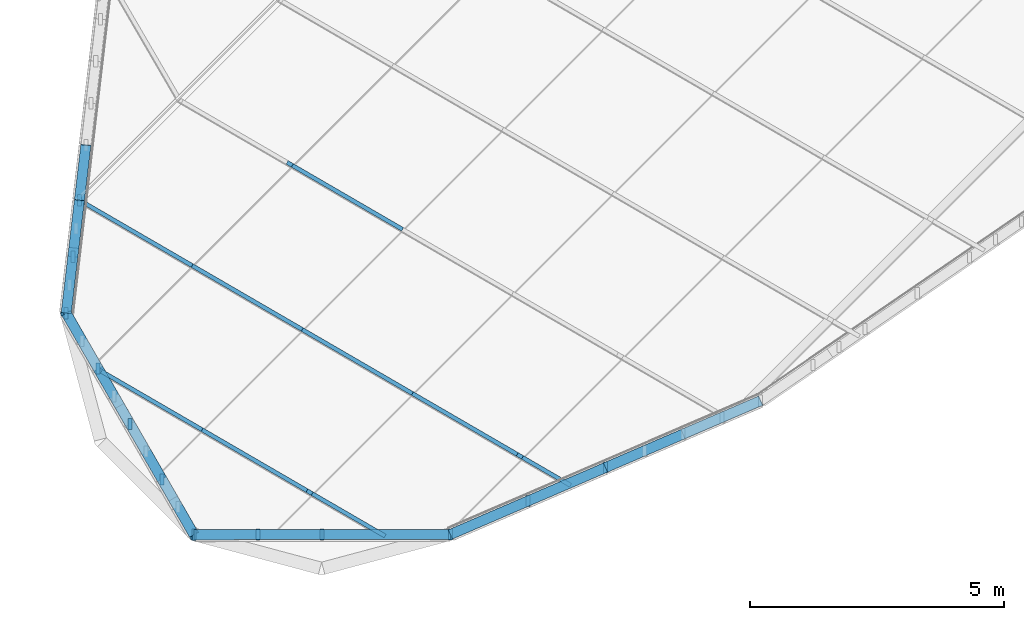
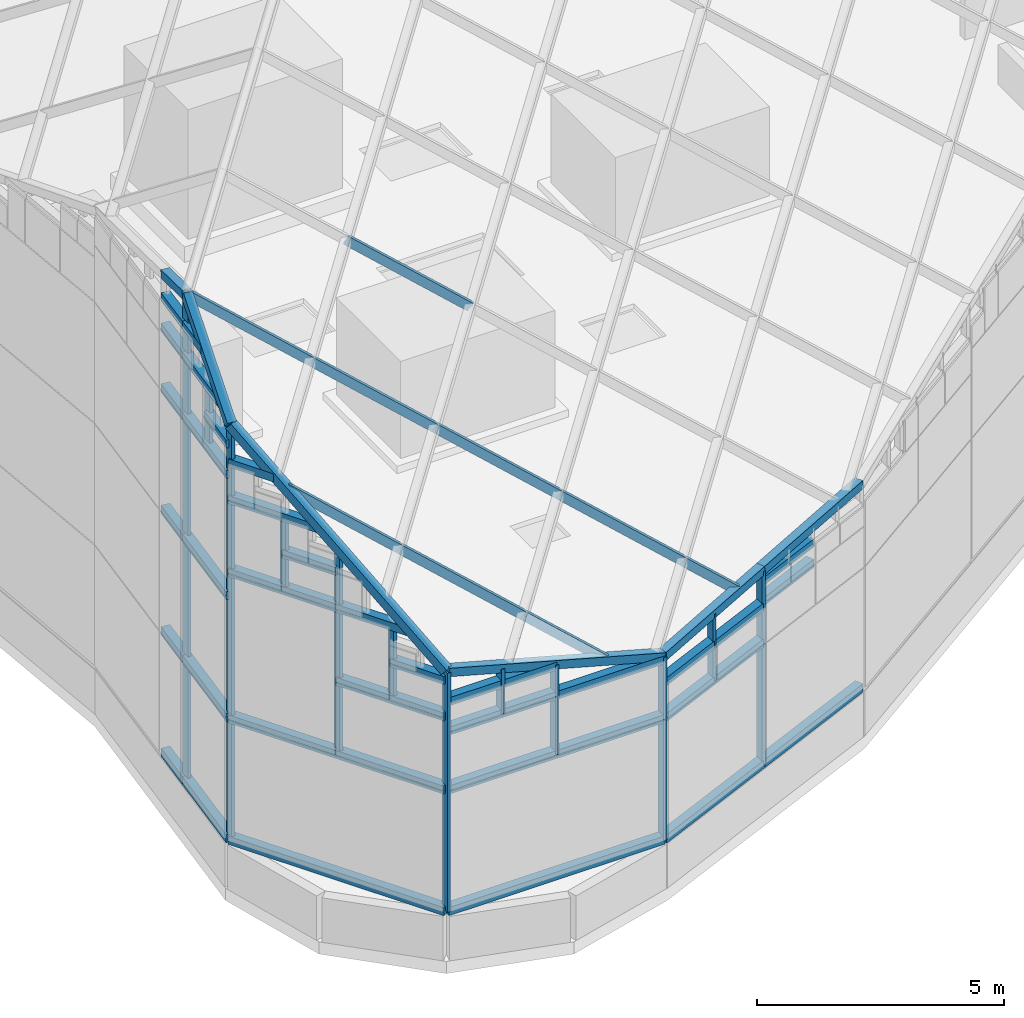
# One storey, part 1 of 29: 63 members, 1 element without a shape of its own.
"""IFC4 building model written with IfcOpenShell, lengths in metres."""

from ifc_helpers import new_model, si_unit, direction, frame, origin, origin_2d, place, context, subcontext, project, spatial, rectangle, extrude, material, material_profile, profile_set, type_object, element, aggregate, save


model = new_model("IFC4")

# Units and contexts
model_context = context("Model", 3, precision=1e-05, world=origin(), true_north=direction((0.0, 1.0)))
body_context = subcontext(model_context, "Body", "Model", "MODEL_VIEW")
ifc_project = project(units=[si_unit("LENGTHUNIT", "METRE"), si_unit("AREAUNIT", "SQUARE_METRE"), si_unit("VOLUMEUNIT", "CUBIC_METRE"), si_unit("PLANEANGLEUNIT", "RADIAN"), si_unit("MASSUNIT", "GRAM", prefix="KILO")], contexts=[model_context])

# Site, building, storey
site_placement = place(None, origin())
site = spatial("IfcSite", under=ifc_project, at=site_placement, CompositionType="ELEMENT")
building_placement = place(site_placement, origin())
building = spatial("IfcBuilding", under=site, at=building_placement, Name="Tanit Gate Tower", CompositionType="ELEMENT")
storey_placement = place(building_placement, frame((0.0, 0.0, 445.300048828125)))
storey = spatial("IfcBuildingStorey", under=building, at=storey_placement, Name="ROOF", CompositionType="ELEMENT", Elevation=445.300048828125)

# Curtain wall, members
ifc_material_1 = material(Name="Aluminium bronze anodised and glass", Category="aluminium")
curtain_wall_type = type_object("IfcCurtainWallType", Name="Curtain wall crown roof", PredefinedType="NOTDEFINED", material=ifc_material_1)
curtain_wall_placement = place(storey_placement, origin())
curtain_wall = element("IfcCurtainWall", 1, at=curtain_wall_placement, inside=storey, type_object=curtain_wall_type, Name="Crown lantern", PredefinedType="NOTDEFINED")
ifc_material_2 = material(Name="Aluminium bronze anodised", Category="aluminium")
ifc_material_profile_1 = material_profile(ifc_material_2, rectangle(XDim=0.080078125, YDim=0.219970703125, at=origin_2d()), Name="80x220 bronze rafter")
ifc_profile_set_1 = profile_set([ifc_material_profile_1], Name="Aluminium bronze anodised")
member_type_1 = type_object("IfcMemberType", Name="Mullion 80x220 crown roof", PredefinedType="MULLION", material=ifc_profile_set_1)
member_1_placement = place(storey_placement, frame((-14.351318359375, -14.351318359375, 1.199951171875), z_axis=(0.0, 0.0, 1.0), x_axis=(1.0, 0.0, 0.0)))
member_1 = element("IfcMember", 2, at=member_1_placement, type_object=member_type_1, Name="Lantern mullion 20", PredefinedType="MULLION", context=body_context, shape_type="SweptSolid", body=[
    extrude(rectangle(XDim=0.080078125, YDim=0.219970703125, at=origin_2d()), origin(), (0.0, 0.0, 1.0), 12.0),
])
member_2_placement = place(storey_placement, frame((-14.612060546875, -16.5791015625, 1.199951171875), z_axis=(0.0, 0.0, 1.0), x_axis=(1.0, 0.0, 0.0)))
member_2 = element("IfcMember", 3, at=member_2_placement, type_object=member_type_1, Name="Lantern mullion 21", PredefinedType="MULLION", context=body_context, shape_type="SweptSolid", body=[
    extrude(rectangle(XDim=0.080078125, YDim=0.219970703125, at=origin_2d()), origin(), (0.0, 0.0, 1.0), 10.22412109375),
])
member_3_placement = place(storey_placement, frame((-12.093505859375, -20.9462890625, 1.199951171875), z_axis=(0.0, 0.0, 1.0), x_axis=(1.0, 0.0, 0.0)))
member_3 = element("IfcMember", 4, at=member_3_placement, type_object=member_type_1, Name="Lantern mullion 22", PredefinedType="MULLION", context=body_context, shape_type="SweptSolid", body=[
    extrude(rectangle(XDim=0.080078125, YDim=0.219970703125, at=origin_2d()), origin(), (0.0, 0.0, 1.0), 5.907958984375),
])
member_4_placement = place(storey_placement, frame((-7.0380859375, -20.9404296875, 1.199951171875), z_axis=(0.0, 0.0, 1.0), x_axis=(1.0, 0.0, 0.0)))
member_4 = element("IfcMember", 5, at=member_4_placement, type_object=member_type_1, Name="Lantern mullion 23", PredefinedType="MULLION", context=body_context, shape_type="SweptSolid", body=[
    extrude(rectangle(XDim=0.080078125, YDim=0.219970703125, at=origin_2d()), origin(), (0.0, 0.0, 1.0), 4.520263671875),
])
member_5_placement = place(storey_placement, frame((-3.980224609375, -19.6220703125, 1.199951171875), z_axis=(0.0, 0.0, 1.0), x_axis=(1.0, 0.0, 0.0)))
member_5 = element("IfcMember", 6, at=member_5_placement, type_object=member_type_1, Name="Lantern mullion 24", PredefinedType="MULLION", context=body_context, shape_type="SweptSolid", body=[
    extrude(rectangle(XDim=0.080078125, YDim=0.219970703125, at=origin_2d()), origin(), (0.0, 0.0, 1.0), 4.77099609375),
])
member_6_placement = place(storey_placement, frame((-14.481689453125, -15.465087890625, 10.199951171875), z_axis=(0.0, 0.0, 1.0), x_axis=(1.0, 0.0, 0.0)))
member_6 = element("IfcMember", 7, at=member_6_placement, type_object=member_type_1, Name="Lantern clerestory bar 20.4.2", PredefinedType="MULLION", context=body_context, shape_type="SweptSolid", body=[
    extrude(rectangle(XDim=0.080078125, YDim=0.219970703125, at=origin_2d()), origin(), (0.0, 0.0, 1.0), 1.5),
])
member_7_placement = place(storey_placement, frame((-13.352783203125, -18.7626953125, 4.199951171875), z_axis=(0.0, 0.0, 1.0), x_axis=(1.0, 0.0, 0.0)))
member_7 = element("IfcMember", 8, at=member_7_placement, type_object=member_type_1, Name="Lantern clerestory bar 21.2.2", PredefinedType="MULLION", context=body_context, shape_type="SweptSolid", body=[
    extrude(rectangle(XDim=0.080078125, YDim=0.219970703125, at=origin_2d()), origin(), (0.0, 0.0, 1.0), 3.612060546875),
])
member_8_placement = place(storey_placement, frame((-12.72314453125, -19.8544921875, 6.005859375), z_axis=(0.0, 0.0, 1.0), x_axis=(1.0, 0.0, 0.0)))
member_8 = element("IfcMember", 9, at=member_8_placement, type_object=member_type_1, Name="Lantern clerestory bar 21.2.4", PredefinedType="MULLION", context=body_context, shape_type="SweptSolid", body=[
    extrude(rectangle(XDim=0.080078125, YDim=0.219970703125, at=origin_2d()), origin(), (0.0, 0.0, 1.0), 1.80615234375),
])
member_9_placement = place(storey_placement, frame((-13.352783203125, -18.7626953125, 7.81201171875), z_axis=(0.0, 0.0, 1.0), x_axis=(1.0, 0.0, 0.0)))
member_9 = element("IfcMember", 10, at=member_9_placement, type_object=member_type_1, Name="Lantern clerestory bar 21.2.8", PredefinedType="MULLION", context=body_context, shape_type="SweptSolid", body=[
    extrude(rectangle(XDim=0.080078125, YDim=0.219970703125, at=origin_2d()), origin(), (0.0, 0.0, 1.0), 1.4541015625),
])
member_10_placement = place(storey_placement, frame((-13.982421875, -17.6708984375, 7.81201171875), z_axis=(0.0, 0.0, 1.0), x_axis=(1.0, 0.0, 0.0)))
member_10 = element("IfcMember", 11, at=member_10_placement, type_object=member_type_1, Name="Lantern clerestory bar 21.2.10", PredefinedType="MULLION", context=body_context, shape_type="SweptSolid", body=[
    extrude(rectangle(XDim=0.080078125, YDim=0.219970703125, at=origin_2d()), origin(), (0.0, 0.0, 1.0), 1.805908203125),
])
member_11_placement = place(storey_placement, frame((-9.565673828125, -20.943359375, 4.199951171875), z_axis=(0.0, 0.0, 1.0), x_axis=(1.0, 0.0, 0.0)))
member_11 = element("IfcMember", 12, at=member_11_placement, type_object=member_type_1, Name="Lantern clerestory bar 22.2.1", PredefinedType="MULLION", context=body_context, shape_type="SweptSolid", body=[
    extrude(rectangle(XDim=0.080078125, YDim=0.219970703125, at=origin_2d()), origin(), (0.0, 0.0, 1.0), 2.214111328125),
])
member_12_placement = place(storey_placement, frame((-10.82958984375, -20.94482421875, 5.654052734375), z_axis=(0.0, 0.0, 1.0), x_axis=(1.0, 0.0, 0.0)))
member_12 = element("IfcMember", 13, at=member_12_placement, type_object=member_type_1, Name="Lantern clerestory bar 22.2.3", PredefinedType="MULLION", context=body_context, shape_type="SweptSolid", body=[
    extrude(rectangle(XDim=0.080078125, YDim=0.219970703125, at=origin_2d()), origin(), (0.0, 0.0, 1.0), 1.10693359375),
])
member_13_placement = place(storey_placement, frame((-5.509033203125, -20.28125, 4.199951171875), z_axis=(0.0, 0.0, 1.0), x_axis=(1.0, 0.0, 0.0)))
member_13 = element("IfcMember", 14, at=member_13_placement, type_object=member_type_1, Name="Lantern clerestory bar 23.2.1", PredefinedType="MULLION", context=body_context, shape_type="SweptSolid", body=[
    extrude(rectangle(XDim=0.080078125, YDim=0.219970703125, at=origin_2d()), origin(), (0.0, 0.0, 1.0), 1.6455078125),
])
member_14_placement = place(storey_placement, frame((-13.968017578125, -17.69580078125, 10.3203125), z_axis=(0.723507187101, -0.420152677548, -0.547730844268), x_axis=(0.502181756709, 0.864762096318, 0.0)))
member_14 = element("IfcMember", 15, at=member_14_placement, type_object=member_type_1, Name="Lantern rafter W2", PredefinedType="MULLION", context=body_context, shape_type="SweptSolid", body=[
    extrude(rectangle(XDim=0.080078125, YDim=0.219970703125, at=origin_2d()), origin(), (0.0, 0.0, 1.0), 2.740234375),
])
member_15_placement = place(storey_placement, frame((-11.9853515625, -18.84716796875, 8.8193359375), z_axis=(0.723494582662, -0.420098879156, -0.547788755444), x_axis=(0.502140210865, 0.864786221347, 0.0)))
member_15 = element("IfcMember", 16, at=member_15_placement, type_object=member_type_1, Name="Lantern rafter W2", PredefinedType="MULLION", context=body_context, shape_type="SweptSolid", body=[
    extrude(rectangle(XDim=0.080078125, YDim=0.219970703125, at=origin_2d()), origin(), (0.0, 0.0, 1.0), 3.0),
])
member_16_placement = place(storey_placement, frame((-9.81494140625, -20.107421875, 7.176025390625), z_axis=(0.723461857925, -0.420114276315, -0.547820166628), x_axis=(0.502170960587, 0.864768365716, 0.0)))
member_16 = element("IfcMember", 17, at=member_16_placement, type_object=member_type_1, Name="Lantern rafter W2", PredefinedType="MULLION", context=body_context, shape_type="SweptSolid", body=[
    extrude(rectangle(XDim=0.080078125, YDim=0.219970703125, at=origin_2d()), origin(), (0.0, 0.0, 1.0), 1.986328125),
])
member_17_placement = place(storey_placement, frame((-14.351318359375, -14.351318359375, 13.199951171875), z_axis=(0.723533362745, -0.420074144471, -0.547756502602), x_axis=(0.502097972181, 0.864810745962, 0.0)))
member_17 = element("IfcMember", 18, at=member_17_placement, type_object=member_type_1, Name="Lantern rafter W3", PredefinedType="MULLION", context=body_context, shape_type="SweptSolid", body=[
    extrude(rectangle(XDim=0.080078125, YDim=0.219970703125, at=origin_2d()), origin(), (0.0, 0.0, 1.0), 3.0),
])
member_18_placement = place(storey_placement, frame((-12.1806640625, -15.611572265625, 11.556640625), z_axis=(0.723494582662, -0.420098879156, -0.547788755444), x_axis=(0.502140210865, 0.864786221347, 0.0)))
member_18 = element("IfcMember", 19, at=member_18_placement, type_object=member_type_1, Name="Lantern rafter W3", PredefinedType="MULLION", context=body_context, shape_type="SweptSolid", body=[
    extrude(rectangle(XDim=0.080078125, YDim=0.219970703125, at=origin_2d()), origin(), (0.0, 0.0, 1.0), 3.0),
])
member_19_placement = place(storey_placement, frame((-10.01025390625, -16.871826171875, 9.913330078125), z_axis=(0.723469846055, -0.420165895971, -0.547770026299), x_axis=(0.502212954116, 0.864743978712, 0.0)))
member_19 = element("IfcMember", 20, at=member_19_placement, type_object=member_type_1, Name="Lantern rafter W3", PredefinedType="MULLION", context=body_context, shape_type="SweptSolid", body=[
    extrude(rectangle(XDim=0.080078125, YDim=0.219970703125, at=origin_2d()), origin(), (0.0, 0.0, 1.0), 3.0),
])
member_20_placement = place(storey_placement, frame((-7.83984375, -18.13232421875, 8.27001953125), z_axis=(0.723533362745, -0.420074144471, -0.547756502602), x_axis=(0.502097972181, 0.864810745962, 0.0)))
member_20 = element("IfcMember", 21, at=member_20_placement, type_object=member_type_1, Name="Lantern rafter W3", PredefinedType="MULLION", context=body_context, shape_type="SweptSolid", body=[
    extrude(rectangle(XDim=0.080078125, YDim=0.219970703125, at=origin_2d()), origin(), (0.0, 0.0, 1.0), 3.0),
])
member_21_placement = place(storey_placement, frame((-5.669189453125, -19.392578125, 6.626708984375), z_axis=(0.723464118809, -0.420045842517, -0.5478696551), x_axis=(0.502108611044, 0.864804569088, 0.0)))
member_21 = element("IfcMember", 22, at=member_21_placement, type_object=member_type_1, Name="Lantern rafter W3", PredefinedType="MULLION", context=body_context, shape_type="SweptSolid", body=[
    extrude(rectangle(XDim=0.080078125, YDim=0.219970703125, at=origin_2d()), origin(), (0.0, 0.0, 1.0), 1.308349609375),
])
member_22_placement = place(storey_placement, frame((-10.20556640625, -13.63623046875, 12.650634765625), z_axis=(0.723508627725, -0.420141159031, -0.547737776765), x_axis=(0.502170713438, 0.864768509235, 0.0)))
member_22 = element("IfcMember", 23, at=member_22_placement, type_object=member_type_1, Name="Lantern rafter W4", PredefinedType="MULLION", context=body_context, shape_type="SweptSolid", body=[
    extrude(rectangle(XDim=0.080078125, YDim=0.219970703125, at=origin_2d()), origin(), (0.0, 0.0, 1.0), 3.000244140625),
])
ifc_material_3 = material(Name="Aluminium bronze anodised", Category="aluminium")
ifc_material_profile_2 = material_profile(ifc_material_3, rectangle(XDim=0.199951171875, YDim=0.199951171875, at=origin_2d()), Name="200x200 bronze transom")
ifc_profile_set_2 = profile_set([ifc_material_profile_2], Name="Aluminium bronze anodised")
member_type_2 = type_object("IfcMemberType", Name="Transom 200x200 crown roof", PredefinedType="USERDEFINED", material=ifc_profile_set_2)
member_23_placement = place(storey_placement, frame((-14.22412109375, -13.26708984375, 1.199951171875), z_axis=(-0.116516847708, -0.9931887153, 0.0), x_axis=(0.9931887153, -0.116516847708, 0.0)))
member_23 = element("IfcMember", 24, at=member_23_placement, type_object=member_type_2, Name="Lantern eave beam 19", ObjectType="TRANSOM", PredefinedType="USERDEFINED", context=body_context, shape_type="SweptSolid", body=[
    extrude(rectangle(XDim=0.199951171875, YDim=0.199951171875, at=origin_2d()), origin(), (0.0, 0.0, 1.0), 1.091552734375),
])
member_24_placement = place(storey_placement, frame((-14.22412109375, -13.26708984375, 13.006591796875), z_axis=(-0.114731032917, -0.977966443736, 0.174408787084), x_axis=(0.9931887153, -0.116516847708, 0.0)))
member_24 = element("IfcMember", 25, at=member_24_placement, type_object=member_type_2, Name="Lantern edge beam 19", ObjectType="TRANSOM", PredefinedType="USERDEFINED", context=body_context, shape_type="SweptSolid", body=[
    extrude(rectangle(XDim=0.199951171875, YDim=0.199951171875, at=origin_2d()), origin(), (0.0, 0.0, 1.0), 1.108642578125),
])
member_25_placement = place(storey_placement, frame((-14.351318359375, -14.351318359375, 1.199951171875), z_axis=(-0.116247588475, -0.993220266695, 0.0), x_axis=(0.993220266695, -0.116247588475, 0.0)))
member_25 = element("IfcMember", 26, at=member_25_placement, type_object=member_type_2, Name="Lantern eave beam 20", ObjectType="TRANSOM", PredefinedType="USERDEFINED", context=body_context, shape_type="SweptSolid", body=[
    extrude(rectangle(XDim=0.199951171875, YDim=0.199951171875, at=origin_2d()), origin(), (0.0, 0.0, 1.0), 2.242919921875),
])
member_26_placement = place(storey_placement, frame((-14.351318359375, -14.351318359375, 13.199951171875), z_axis=(-0.091139907904, -0.778700055826, -0.620741282858), x_axis=(0.993220266695, -0.116247588475, 0.0)))
member_26 = element("IfcMember", 27, at=member_26_placement, type_object=member_type_2, Name="Lantern edge beam 20", ObjectType="TRANSOM", PredefinedType="USERDEFINED", context=body_context, shape_type="SweptSolid", body=[
    extrude(rectangle(XDim=0.199951171875, YDim=0.199951171875, at=origin_2d()), origin(), (0.0, 0.0, 1.0), 2.86083984375),
])
member_27_placement = place(storey_placement, frame((-14.612060546875, -16.5791015625, 1.199951171875), z_axis=(0.499577110492, -0.866269421527, 0.0), x_axis=(0.866269421527, 0.499577110492, 0.0)))
member_27 = element("IfcMember", 28, at=member_27_placement, type_object=member_type_2, Name="Lantern eave beam 21", ObjectType="TRANSOM", PredefinedType="USERDEFINED", context=body_context, shape_type="SweptSolid", body=[
    extrude(rectangle(XDim=0.199951171875, YDim=0.199951171875, at=origin_2d()), origin(), (0.0, 0.0, 1.0), 5.041259765625),
])
member_28_placement = place(storey_placement, frame((-14.612060546875, -16.5791015625, 11.424072265625), z_axis=(0.379493689669, -0.658044117953, -0.65035565526), x_axis=(0.866269421527, 0.499577110492, 0.0)))
member_28 = element("IfcMember", 29, at=member_28_placement, type_object=member_type_2, Name="Lantern edge beam 21", ObjectType="TRANSOM", PredefinedType="USERDEFINED", context=body_context, shape_type="SweptSolid", body=[
    extrude(rectangle(XDim=0.199951171875, YDim=0.199951171875, at=origin_2d()), origin(), (0.0, 0.0, 1.0), 6.63671875),
])
member_29_placement = place(storey_placement, frame((-12.093505859375, -20.9462890625, 1.199951171875), z_axis=(0.999999328327, 0.001159027569, 0.0), x_axis=(-0.001159027569, 0.999999328327, 0.0)))
member_29 = element("IfcMember", 30, at=member_29_placement, type_object=member_type_2, Name="Lantern eave beam 22", ObjectType="TRANSOM", PredefinedType="USERDEFINED", context=body_context, shape_type="SweptSolid", body=[
    extrude(rectangle(XDim=0.199951171875, YDim=0.199951171875, at=origin_2d()), origin(), (0.0, 0.0, 1.0), 5.055419921875),
])
member_30_placement = place(storey_placement, frame((-12.093505859375, -20.9462890625, 7.10791015625), z_axis=(0.964328808926, 0.001117684426, -0.264704928282), x_axis=(-0.001159027569, 0.999999328327, 0.0)))
member_30 = element("IfcMember", 31, at=member_30_placement, type_object=member_type_2, Name="Lantern edge beam 22", ObjectType="TRANSOM", PredefinedType="USERDEFINED", context=body_context, shape_type="SweptSolid", body=[
    extrude(rectangle(XDim=0.199951171875, YDim=0.199951171875, at=origin_2d()), origin(), (0.0, 0.0, 1.0), 5.242431640625),
])
member_31_placement = place(storey_placement, frame((-7.0380859375, -20.9404296875, 1.199951171875), z_axis=(0.918289620989, 0.395909297672, 0.0), x_axis=(-0.395909297672, 0.918289620989, 0.0)))
member_31 = element("IfcMember", 32, at=member_31_placement, type_object=member_type_2, Name="Lantern eave beam 23", ObjectType="TRANSOM", PredefinedType="USERDEFINED", context=body_context, shape_type="SweptSolid", body=[
    extrude(rectangle(XDim=0.199951171875, YDim=0.199951171875, at=origin_2d()), origin(), (0.0, 0.0, 1.0), 3.329833984375),
])
member_32_placement = place(storey_placement, frame((-7.0380859375, -20.9404296875, 5.72021484375), z_axis=(0.915697516188, 0.394791743506, 0.075083540848), x_axis=(-0.395909297672, 0.918289620989, 0.0)))
member_32 = element("IfcMember", 33, at=member_32_placement, type_object=member_type_2, Name="Lantern edge beam 23", ObjectType="TRANSOM", PredefinedType="USERDEFINED", context=body_context, shape_type="SweptSolid", body=[
    extrude(rectangle(XDim=0.199951171875, YDim=0.199951171875, at=origin_2d()), origin(), (0.0, 0.0, 1.0), 3.33935546875),
])
member_33_placement = place(storey_placement, frame((-3.980224609375, -19.6220703125, 1.199951171875), z_axis=(0.918301111769, 0.395882644384, 0.0), x_axis=(-0.395882644384, 0.918301111769, 0.0)))
member_33 = element("IfcMember", 34, at=member_33_placement, type_object=member_type_2, Name="Lantern eave beam 24", ObjectType="TRANSOM", PredefinedType="USERDEFINED", context=body_context, shape_type="SweptSolid", body=[
    extrude(rectangle(XDim=0.199951171875, YDim=0.199951171875, at=origin_2d()), origin(), (0.0, 0.0, 1.0), 3.330078125),
])
member_34_placement = place(storey_placement, frame((-3.980224609375, -19.6220703125, 5.970947265625), z_axis=(0.915709322058, 0.394765315273, 0.07507851459), x_axis=(-0.395882644384, 0.918301111769, 0.0)))
member_34 = element("IfcMember", 35, at=member_34_placement, type_object=member_type_2, Name="Lantern edge beam 24", ObjectType="TRANSOM", PredefinedType="USERDEFINED", context=body_context, shape_type="SweptSolid", body=[
    extrude(rectangle(XDim=0.199951171875, YDim=0.199951171875, at=origin_2d()), origin(), (0.0, 0.0, 1.0), 3.339599609375),
])
member_35_placement = place(storey_placement, frame((-14.22412109375, -13.26708984375, 4.199951171875), z_axis=(-0.116516847708, -0.9931887153, 0.0), x_axis=(0.9931887153, -0.116516847708, 0.0)))
member_35 = element("IfcMember", 36, at=member_35_placement, type_object=member_type_2, Name="Lantern clerestory transom 19.1", ObjectType="TRANSOM", PredefinedType="USERDEFINED", context=body_context, shape_type="SweptSolid", body=[
    extrude(rectangle(XDim=0.199951171875, YDim=0.199951171875, at=origin_2d()), origin(), (0.0, 0.0, 1.0), 1.091552734375),
])
member_36_placement = place(storey_placement, frame((-14.22412109375, -13.26708984375, 7.199951171875), z_axis=(-0.116516847708, -0.9931887153, 0.0), x_axis=(0.9931887153, -0.116516847708, 0.0)))
member_36 = element("IfcMember", 37, at=member_36_placement, type_object=member_type_2, Name="Lantern clerestory transom 19.2", ObjectType="TRANSOM", PredefinedType="USERDEFINED", context=body_context, shape_type="SweptSolid", body=[
    extrude(rectangle(XDim=0.199951171875, YDim=0.199951171875, at=origin_2d()), origin(), (0.0, 0.0, 1.0), 1.091552734375),
])
member_37_placement = place(storey_placement, frame((-14.22412109375, -13.26708984375, 10.199951171875), z_axis=(-0.116516847708, -0.9931887153, 0.0), x_axis=(0.9931887153, -0.116516847708, 0.0)))
member_37 = element("IfcMember", 38, at=member_37_placement, type_object=member_type_2, Name="Lantern clerestory transom 19.3", ObjectType="TRANSOM", PredefinedType="USERDEFINED", context=body_context, shape_type="SweptSolid", body=[
    extrude(rectangle(XDim=0.199951171875, YDim=0.199951171875, at=origin_2d()), origin(), (0.0, 0.0, 1.0), 1.091552734375),
])
member_38_placement = place(storey_placement, frame((-14.22412109375, -13.26708984375, 11.699951171875), z_axis=(-0.116516847708, -0.9931887153, 0.0), x_axis=(0.9931887153, -0.116516847708, 0.0)))
member_38 = element("IfcMember", 39, at=member_38_placement, type_object=member_type_2, Name="Lantern clerestory bar 19.4.1", ObjectType="TRANSOM", PredefinedType="USERDEFINED", context=body_context, shape_type="SweptSolid", body=[
    extrude(rectangle(XDim=0.199951171875, YDim=0.199951171875, at=origin_2d()), origin(), (0.0, 0.0, 1.0), 1.091552734375),
])
member_39_placement = place(storey_placement, frame((-14.22412109375, -13.26708984375, 12.449951171875), z_axis=(-0.116516847708, -0.9931887153, 0.0), x_axis=(0.9931887153, -0.116516847708, 0.0)))
member_39 = element("IfcMember", 40, at=member_39_placement, type_object=member_type_2, Name="Lantern clerestory bar 19.4.2", ObjectType="TRANSOM", PredefinedType="USERDEFINED", context=body_context, shape_type="SweptSolid", body=[
    extrude(rectangle(XDim=0.199951171875, YDim=0.199951171875, at=origin_2d()), origin(), (0.0, 0.0, 1.0), 1.091552734375),
])
member_40_placement = place(storey_placement, frame((-14.351318359375, -14.351318359375, 4.199951171875), z_axis=(-0.116247588475, -0.993220266695, 0.0), x_axis=(0.993220266695, -0.116247588475, 0.0)))
member_40 = element("IfcMember", 41, at=member_40_placement, type_object=member_type_2, Name="Lantern clerestory transom 20.1", ObjectType="TRANSOM", PredefinedType="USERDEFINED", context=body_context, shape_type="SweptSolid", body=[
    extrude(rectangle(XDim=0.199951171875, YDim=0.199951171875, at=origin_2d()), origin(), (0.0, 0.0, 1.0), 2.242919921875),
])
member_41_placement = place(storey_placement, frame((-14.351318359375, -14.351318359375, 7.199951171875), z_axis=(-0.116247588475, -0.993220266695, 0.0), x_axis=(0.993220266695, -0.116247588475, 0.0)))
member_41 = element("IfcMember", 42, at=member_41_placement, type_object=member_type_2, Name="Lantern clerestory transom 20.2", ObjectType="TRANSOM", PredefinedType="USERDEFINED", context=body_context, shape_type="SweptSolid", body=[
    extrude(rectangle(XDim=0.199951171875, YDim=0.199951171875, at=origin_2d()), origin(), (0.0, 0.0, 1.0), 2.242919921875),
])
member_42_placement = place(storey_placement, frame((-14.351318359375, -14.351318359375, 10.199951171875), z_axis=(-0.116247588475, -0.993220266695, 0.0), x_axis=(0.993220266695, -0.116247588475, 0.0)))
member_42 = element("IfcMember", 43, at=member_42_placement, type_object=member_type_2, Name="Lantern clerestory transom 20.3", ObjectType="TRANSOM", PredefinedType="USERDEFINED", context=body_context, shape_type="SweptSolid", body=[
    extrude(rectangle(XDim=0.199951171875, YDim=0.199951171875, at=origin_2d()), origin(), (0.0, 0.0, 1.0), 2.242919921875),
])
member_43_placement = place(storey_placement, frame((-14.351318359375, -14.351318359375, 11.699951171875), z_axis=(-0.116243046586, -0.993220798272, 0.0), x_axis=(0.993220798272, -0.116243046586, 0.0)))
member_43 = element("IfcMember", 44, at=member_43_placement, type_object=member_type_2, Name="Lantern clerestory bar 20.4.1", ObjectType="TRANSOM", PredefinedType="USERDEFINED", context=body_context, shape_type="SweptSolid", body=[
    extrude(rectangle(XDim=0.199951171875, YDim=0.199951171875, at=origin_2d()), origin(), (0.0, 0.0, 1.0), 1.89453125),
])
member_44_placement = place(storey_placement, frame((-14.481689453125, -15.465087890625, 10.949951171875), z_axis=(-0.116235022517, -0.993221737348, 0.0), x_axis=(0.993221737348, -0.116235022517, 0.0)))
member_44 = element("IfcMember", 45, at=member_44_placement, type_object=member_type_2, Name="Lantern clerestory bar 20.4.3", ObjectType="TRANSOM", PredefinedType="USERDEFINED", context=body_context, shape_type="SweptSolid", body=[
    extrude(rectangle(XDim=0.199951171875, YDim=0.199951171875, at=origin_2d()), origin(), (0.0, 0.0, 1.0), 1.12158203125),
])
member_45_placement = place(storey_placement, frame((-14.351318359375, -14.351318359375, 12.449951171875), z_axis=(-0.116257927461, -0.993219056554, 0.0), x_axis=(0.993219056554, -0.116257927461, 0.0)))
member_45 = element("IfcMember", 46, at=member_45_placement, type_object=member_type_2, Name="Lantern clerestory bar 20.4.6", ObjectType="TRANSOM", PredefinedType="USERDEFINED", context=body_context, shape_type="SweptSolid", body=[
    extrude(rectangle(XDim=0.199951171875, YDim=0.199951171875, at=origin_2d()), origin(), (0.0, 0.0, 1.0), 0.947021484375),
])
member_46_placement = place(storey_placement, frame((-14.612060546875, -16.5791015625, 4.199951171875), z_axis=(0.499577110492, -0.866269421527, 0.0), x_axis=(0.866269421527, 0.499577110492, 0.0)))
member_46 = element("IfcMember", 47, at=member_46_placement, type_object=member_type_2, Name="Lantern clerestory transom 21.1", ObjectType="TRANSOM", PredefinedType="USERDEFINED", context=body_context, shape_type="SweptSolid", body=[
    extrude(rectangle(XDim=0.199951171875, YDim=0.199951171875, at=origin_2d()), origin(), (0.0, 0.0, 1.0), 5.041259765625),
])
member_47_placement = place(storey_placement, frame((-14.612060546875, -16.5791015625, 7.81201171875), z_axis=(0.499587198781, -0.866263603538, 0.0), x_axis=(0.866263603538, 0.499587198781, 0.0)))
member_47 = element("IfcMember", 48, at=member_47_placement, type_object=member_type_2, Name="Lantern clerestory bar 21.2.1", ObjectType="TRANSOM", PredefinedType="USERDEFINED", context=body_context, shape_type="SweptSolid", body=[
    extrude(rectangle(XDim=0.199951171875, YDim=0.199951171875, at=origin_2d()), origin(), (0.0, 0.0, 1.0), 4.21923828125),
])
member_48_placement = place(storey_placement, frame((-13.352783203125, -18.7626953125, 6.005859375), z_axis=(0.499577110492, -0.866269421527, 0.0), x_axis=(0.866269421527, 0.499577110492, 0.0)))
member_48 = element("IfcMember", 49, at=member_48_placement, type_object=member_type_2, Name="Lantern clerestory bar 21.2.3", ObjectType="TRANSOM", PredefinedType="USERDEFINED", context=body_context, shape_type="SweptSolid", body=[
    extrude(rectangle(XDim=0.199951171875, YDim=0.199951171875, at=origin_2d()), origin(), (0.0, 0.0, 1.0), 2.520751953125),
])
member_49_placement = place(storey_placement, frame((-12.72314453125, -19.8544921875, 6.908935546875), z_axis=(0.499577110492, -0.866269421527, 0.0), x_axis=(0.866269421527, 0.499577110492, 0.0)))
member_49 = element("IfcMember", 50, at=member_49_placement, type_object=member_type_2, Name="Lantern clerestory bar 21.2.5", ObjectType="TRANSOM", PredefinedType="USERDEFINED", context=body_context, shape_type="SweptSolid", body=[
    extrude(rectangle(XDim=0.199951171875, YDim=0.199951171875, at=origin_2d()), origin(), (0.0, 0.0, 1.0), 1.26025390625),
])
member_50_placement = place(storey_placement, frame((-14.612060546875, -16.5791015625, 9.617919921875), z_axis=(0.499612241344, -0.866249160634, 0.0), x_axis=(0.866249160634, 0.499612241344, 0.0)))
member_50 = element("IfcMember", 51, at=member_50_placement, type_object=member_type_2, Name="Lantern clerestory bar 21.2.9", ObjectType="TRANSOM", PredefinedType="USERDEFINED", context=body_context, shape_type="SweptSolid", body=[
    extrude(rectangle(XDim=0.199951171875, YDim=0.199951171875, at=origin_2d()), origin(), (0.0, 0.0, 1.0), 2.109619140625),
])
member_51_placement = place(storey_placement, frame((-13.982421875, -17.6708984375, 8.715087890625), z_axis=(0.499577110492, -0.866269421527, 0.0), x_axis=(0.866269421527, 0.499577110492, 0.0)))
member_51 = element("IfcMember", 52, at=member_51_placement, type_object=member_type_2, Name="Lantern clerestory bar 21.2.11", ObjectType="TRANSOM", PredefinedType="USERDEFINED", context=body_context, shape_type="SweptSolid", body=[
    extrude(rectangle(XDim=0.199951171875, YDim=0.199951171875, at=origin_2d()), origin(), (0.0, 0.0, 1.0), 1.26025390625),
])
member_52_placement = place(storey_placement, frame((-14.612060546875, -16.5791015625, 10.52099609375), z_axis=(0.499475310323, -0.866328121659, 0.0), x_axis=(0.866328121659, 0.499475310323, 0.0)))
member_52 = element("IfcMember", 53, at=member_52_placement, type_object=member_type_2, Name="Lantern clerestory bar 21.2.15", ObjectType="TRANSOM", PredefinedType="USERDEFINED", context=body_context, shape_type="SweptSolid", body=[
    extrude(rectangle(XDim=0.199951171875, YDim=0.199951171875, at=origin_2d()), origin(), (0.0, 0.0, 1.0), 1.054931640625),
])
member_53_placement = place(storey_placement, frame((-12.093505859375, -20.9462890625, 4.199951171875), z_axis=(0.999999328327, 0.001159027569, 0.0), x_axis=(-0.001159027569, 0.999999328327, 0.0)))
member_53 = element("IfcMember", 54, at=member_53_placement, type_object=member_type_2, Name="Lantern clerestory transom 22.1", ObjectType="TRANSOM", PredefinedType="USERDEFINED", context=body_context, shape_type="SweptSolid", body=[
    extrude(rectangle(XDim=0.199951171875, YDim=0.199951171875, at=origin_2d()), origin(), (0.0, 0.0, 1.0), 5.055419921875),
])
member_54_placement = place(storey_placement, frame((-12.093505859375, -20.9462890625, 5.654052734375), z_axis=(0.999999328392, 0.001158971599, 0.0), x_axis=(-0.001158971599, 0.999999328392, 0.0)))
member_54 = element("IfcMember", 55, at=member_54_placement, type_object=member_type_2, Name="Lantern clerestory bar 22.2.2", ObjectType="TRANSOM", PredefinedType="USERDEFINED", context=body_context, shape_type="SweptSolid", body=[
    extrude(rectangle(XDim=0.199951171875, YDim=0.199951171875, at=origin_2d()), origin(), (0.0, 0.0, 1.0), 2.52783203125),
])
member_55_placement = place(storey_placement, frame((-12.093505859375, -20.9462890625, 6.380859375), z_axis=(0.999999328392, 0.001158971599, 0.0), x_axis=(-0.001158971599, 0.999999328392, 0.0)))
member_55 = element("IfcMember", 56, at=member_55_placement, type_object=member_type_2, Name="Lantern clerestory bar 22.2.4", ObjectType="TRANSOM", PredefinedType="USERDEFINED", context=body_context, shape_type="SweptSolid", body=[
    extrude(rectangle(XDim=0.199951171875, YDim=0.199951171875, at=origin_2d()), origin(), (0.0, 0.0, 1.0), 1.263916015625),
])
member_56_placement = place(storey_placement, frame((-10.82958984375, -20.94482421875, 6.380859375), z_axis=(0.999999328392, 0.001158971599, 0.0), x_axis=(-0.001158971599, 0.999999328392, 0.0)))
member_56 = element("IfcMember", 57, at=member_56_placement, type_object=member_type_2, Name="Lantern clerestory bar 22.2.5", ObjectType="TRANSOM", PredefinedType="USERDEFINED", context=body_context, shape_type="SweptSolid", body=[
    extrude(rectangle(XDim=0.199951171875, YDim=0.199951171875, at=origin_2d()), origin(), (0.0, 0.0, 1.0), 1.263916015625),
])
member_57_placement = place(storey_placement, frame((-9.565673828125, -20.943359375, 5.654052734375), z_axis=(0.999999328262, 0.001159083545, 0.0), x_axis=(-0.001159083545, 0.999999328262, 0.0)))
member_57 = element("IfcMember", 58, at=member_57_placement, type_object=member_type_2, Name="Lantern clerestory bar 22.2.6", ObjectType="TRANSOM", PredefinedType="USERDEFINED", context=body_context, shape_type="SweptSolid", body=[
    extrude(rectangle(XDim=0.199951171875, YDim=0.199951171875, at=origin_2d()), origin(), (0.0, 0.0, 1.0), 2.527587890625),
])
member_58_placement = place(storey_placement, frame((-7.0380859375, -20.9404296875, 4.199951171875), z_axis=(0.918289620989, 0.395909297672, 0.0), x_axis=(-0.395909297672, 0.918289620989, 0.0)))
member_58 = element("IfcMember", 59, at=member_58_placement, type_object=member_type_2, Name="Lantern clerestory transom 23.1", ObjectType="TRANSOM", PredefinedType="USERDEFINED", context=body_context, shape_type="SweptSolid", body=[
    extrude(rectangle(XDim=0.199951171875, YDim=0.199951171875, at=origin_2d()), origin(), (0.0, 0.0, 1.0), 3.329833984375),
])
member_59_placement = place(storey_placement, frame((-7.0380859375, -20.9404296875, 5.08544921875), z_axis=(0.918301111769, 0.395882644384, 0.0), x_axis=(-0.395882644384, 0.918301111769, 0.0)))
member_59 = element("IfcMember", 60, at=member_59_placement, type_object=member_type_2, Name="Lantern clerestory bar 23.2.2", ObjectType="TRANSOM", PredefinedType="USERDEFINED", context=body_context, shape_type="SweptSolid", body=[
    extrude(rectangle(XDim=0.199951171875, YDim=0.199951171875, at=origin_2d()), origin(), (0.0, 0.0, 1.0), 1.6650390625),
])
member_60_placement = place(storey_placement, frame((-5.509033203125, -20.28125, 5.08544921875), z_axis=(0.918278127889, 0.395935954216, 0.0), x_axis=(-0.395935954216, 0.918278127889, 0.0)))
member_60 = element("IfcMember", 61, at=member_60_placement, type_object=member_type_2, Name="Lantern clerestory bar 23.2.3", ObjectType="TRANSOM", PredefinedType="USERDEFINED", context=body_context, shape_type="SweptSolid", body=[
    extrude(rectangle(XDim=0.199951171875, YDim=0.199951171875, at=origin_2d()), origin(), (0.0, 0.0, 1.0), 1.664794921875),
])
member_61_placement = place(storey_placement, frame((-3.980224609375, -19.6220703125, 5.210693359375), z_axis=(0.918301111769, 0.395882644384, 0.0), x_axis=(-0.395882644384, 0.918301111769, 0.0)))
member_61 = element("IfcMember", 62, at=member_61_placement, type_object=member_type_2, Name="Lantern clerestory bar 24.2.2", ObjectType="TRANSOM", PredefinedType="USERDEFINED", context=body_context, shape_type="SweptSolid", body=[
    extrude(rectangle(XDim=0.199951171875, YDim=0.199951171875, at=origin_2d()), origin(), (0.0, 0.0, 1.0), 1.6650390625),
])
member_62_placement = place(storey_placement, frame((-3.980224609375, -19.6220703125, 5.71630859375), z_axis=(0.918324086367, 0.395829347572, 0.0), x_axis=(-0.395829347572, 0.918324086367, 0.0)))
member_62 = element("IfcMember", 63, at=member_62_placement, type_object=member_type_2, Name="Lantern clerestory bar 24.2.4", ObjectType="TRANSOM", PredefinedType="USERDEFINED", context=body_context, shape_type="SweptSolid", body=[
    extrude(rectangle(XDim=0.199951171875, YDim=0.199951171875, at=origin_2d()), origin(), (0.0, 0.0, 1.0), 0.832763671875),
])
member_63_placement = place(storey_placement, frame((-3.215576171875, -19.29248046875, 5.71630859375), z_axis=(0.918278127889, 0.395935954216, 0.0), x_axis=(-0.395935954216, 0.918278127889, 0.0)))
member_63 = element("IfcMember", 64, at=member_63_placement, type_object=member_type_2, Name="Lantern clerestory bar 24.2.5", ObjectType="TRANSOM", PredefinedType="USERDEFINED", context=body_context, shape_type="SweptSolid", body=[
    extrude(rectangle(XDim=0.199951171875, YDim=0.199951171875, at=origin_2d()), origin(), (0.0, 0.0, 1.0), 0.83251953125),
])
aggregate(curtain_wall, [member_23, member_24, member_1, member_25, member_26, member_2, member_27, member_28, member_3, member_29, member_30, member_4, member_31, member_32, member_5, member_33, member_34, member_35, member_36, member_37, member_38, member_39, member_40, member_41, member_42, member_43, member_6, member_44, member_45, member_46, member_47, member_7, member_48, member_8, member_49, member_9, member_50, member_10, member_51, member_52, member_53, member_11, member_54, member_12, member_55, member_56, member_57, member_58, member_13, member_59, member_60, member_61, member_62, member_63, member_14, member_15, member_16, member_17, member_18, member_19, member_20, member_21, member_22])

save(model, "model.ifc")
